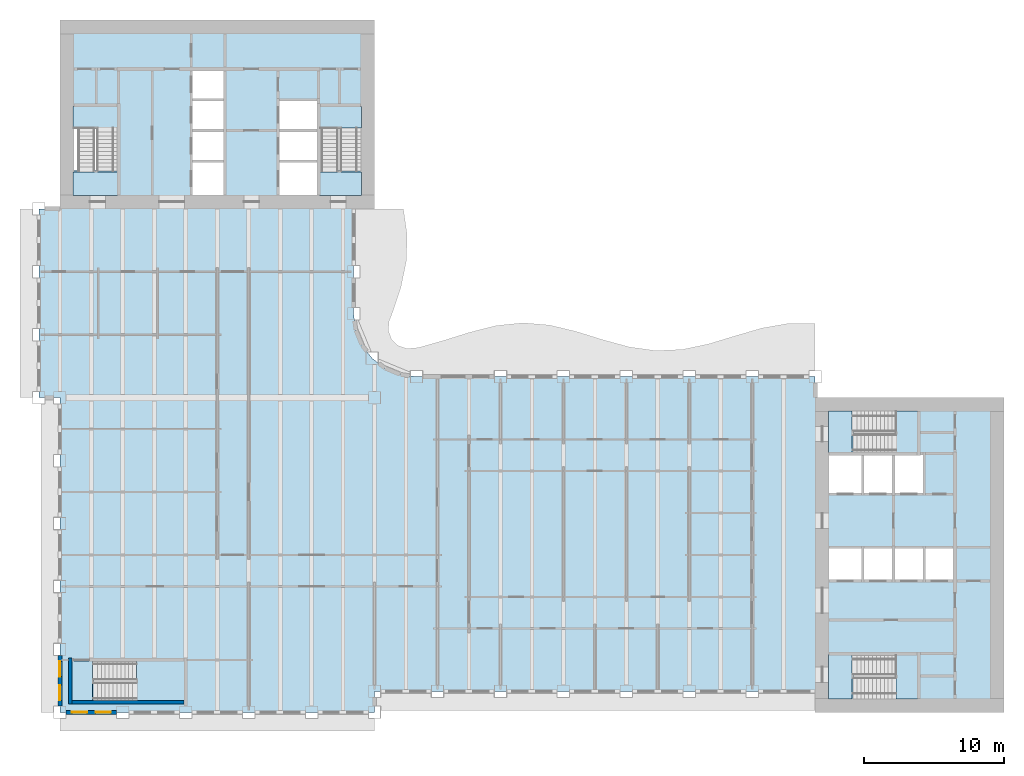
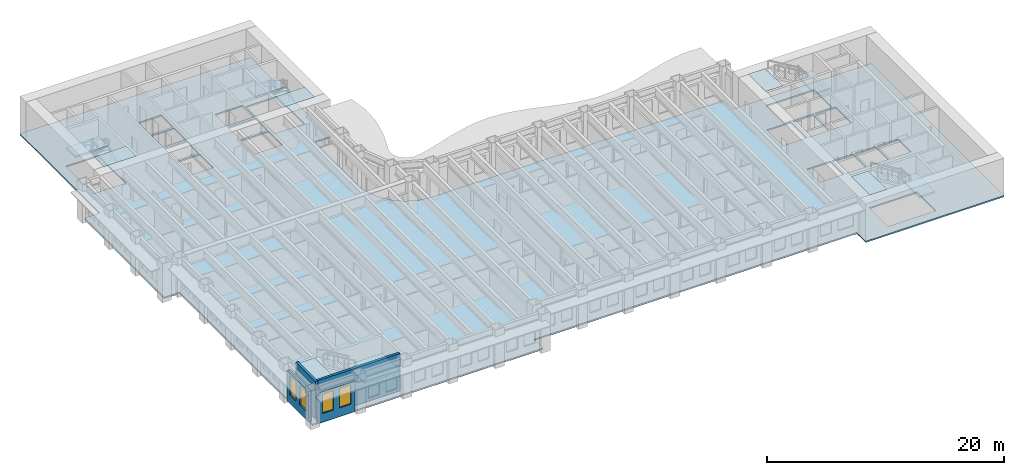
# One storey, part 2 of 16: 11 slabs, 4 walls, 4 windows, 4 openings, 5 elements without a shape of their own.
"""IFC4 building model written with IfcOpenShell, lengths in metres."""

from ifc_helpers import new_model, si_unit, direction, frame, frame_2d, origin, place, context, subcontext, project, spatial, polyline, rectangle, outline, extrude, material, layer, layer_set, type_object, element, fill, aggregate, save


model = new_model("IFC4")

# Units and contexts
model_context = context("Model", 3, precision=1e-05, world=origin(), true_north=direction((0.0, 1.0)))
body_context = subcontext(model_context, "Body", "Model", "MODEL_VIEW")
ifc_project = project(units=[si_unit("LENGTHUNIT", "METRE"), si_unit("AREAUNIT", "SQUARE_METRE"), si_unit("VOLUMEUNIT", "CUBIC_METRE"), si_unit("PLANEANGLEUNIT", "RADIAN"), si_unit("MASSUNIT", "GRAM", prefix="KILO")], contexts=[model_context])

# Site, building, storey
site_placement = place(None, origin())
site = spatial("IfcSite", under=ifc_project, at=site_placement, CompositionType="ELEMENT")
building_placement = place(site_placement, origin())
building = spatial("IfcBuilding", under=site, at=building_placement, Name="Sennacour Bend Tower", CompositionType="ELEMENT")
storey_placement = place(building_placement, frame((0.0, 0.0, 179.0)))
storey = spatial("IfcBuildingStorey", under=building, at=storey_placement, Name="L41", CompositionType="ELEMENT", Elevation=179.0)

# Slabs
ifc_material_1 = material(Name="Concrete C30/37", Category="concrete")
ifc_layer_1 = layer(ifc_material_1, 0.14990234375, Name="Concrete C30/37", Category="concrete")
ifc_layer_set_1 = layer_set([ifc_layer_1], Name="Concrete C30/37")
slab_type_1 = type_object("IfcSlabType", Name="Floor slab 150", PredefinedType="FLOOR", material=ifc_layer_set_1)
slab_1_placement = place(storey_placement, frame((0.0, 0.0, -0.14990234375)))
element("IfcSlab", 1, at=slab_1_placement, inside=storey, type_object=slab_type_1, Name="Floor slab L41-01", PredefinedType="FLOOR", context=body_context, shape_type="SweptSolid", body=[
    extrude(outline(polyline([(0.0, 22.5), (-1.5, 22.5), (-1.5, 36.0), (0.0, 36.0), (0.0, 49.5), (22.5, 49.5), (22.5, 36.0), (21.0, 36.0), (21.0, 28.5), (21.1533203125, 27.335205078125), (21.602783203125, 26.25), (22.318115234375, 25.318115234375), (23.25, 24.602783203125), (24.335205078125, 24.1533203125), (25.5, 24.0), (54.0, 24.0), (54.0, 22.5), (67.5, 22.5), (67.5, 0.0), (54.0, 0.0), (54.0, 1.5), (22.5, 1.5), (22.5, 0.0), (0.0, 0.0), (0.0, 22.5)]), holes=[polyline([(8.800048828125, 0.949951171875), (8.800048828125, 3.5), (2.429931640625, 3.5), (2.429931640625, 0.949951171875), (8.800048828125, 0.949951171875)]), polyline([(11.699951171875, 37.0), (11.699951171875, 39.300048828125), (9.5, 39.300048828125), (9.5, 37.0), (11.699951171875, 37.0)]), polyline([(18.39990234375, 37.0), (18.39990234375, 39.300048828125), (15.699951171875, 39.300048828125), (15.699951171875, 37.0), (18.39990234375, 37.0)]), polyline([(11.699951171875, 39.5), (11.699951171875, 41.5), (9.5, 41.5), (9.5, 39.5), (11.699951171875, 39.5)]), polyline([(18.39990234375, 39.5), (18.39990234375, 41.5), (15.699951171875, 41.5), (15.699951171875, 39.5), (18.39990234375, 39.5)]), polyline([(4.125, 38.72998046875), (4.125, 43.39990234375), (0.949951171875, 43.39990234375), (0.949951171875, 38.72998046875), (4.125, 38.72998046875)]), polyline([(21.550048828125, 38.72998046875), (21.550048828125, 43.39990234375), (18.574951171875, 43.39990234375), (18.574951171875, 38.72998046875), (21.550048828125, 38.72998046875)]), polyline([(9.5, 41.699951171875), (11.699951171875, 41.699951171875), (11.699951171875, 43.699951171875), (9.5, 43.699951171875), (9.5, 41.699951171875)]), polyline([(15.699951171875, 41.699951171875), (18.39990234375, 41.699951171875), (18.39990234375, 43.699951171875), (15.699951171875, 43.699951171875), (15.699951171875, 41.699951171875)]), polyline([(11.699951171875, 43.89990234375), (11.699951171875, 45.89990234375), (9.5, 45.89990234375), (9.5, 43.89990234375), (11.699951171875, 43.89990234375)]), polyline([(61.39990234375, 0.949951171875), (61.39990234375, 4.125), (56.72998046875, 4.125), (56.72998046875, 0.949951171875), (61.39990234375, 0.949951171875)]), polyline([(57.300048828125, 9.5), (57.300048828125, 11.699951171875), (55.0, 11.699951171875), (55.0, 9.5), (57.300048828125, 9.5)]), polyline([(57.5, 9.5), (59.5, 9.5), (59.5, 11.699951171875), (57.5, 11.699951171875), (57.5, 9.5)]), polyline([(59.699951171875, 9.5), (61.699951171875, 9.5), (61.699951171875, 11.699951171875), (59.699951171875, 11.699951171875), (59.699951171875, 9.5)]), polyline([(63.89990234375, 9.5), (63.89990234375, 11.699951171875), (61.89990234375, 11.699951171875), (61.89990234375, 9.5), (63.89990234375, 9.5)]), polyline([(57.300048828125, 15.699951171875), (57.300048828125, 18.39990234375), (55.0, 18.39990234375), (55.0, 15.699951171875), (57.300048828125, 15.699951171875)]), polyline([(59.5, 15.699951171875), (59.5, 18.39990234375), (57.5, 18.39990234375), (57.5, 15.699951171875), (59.5, 15.699951171875)]), polyline([(59.699951171875, 15.699951171875), (61.699951171875, 15.699951171875), (61.699951171875, 18.39990234375), (59.699951171875, 18.39990234375), (59.699951171875, 15.699951171875)]), polyline([(56.72998046875, 18.574951171875), (61.39990234375, 18.574951171875), (61.39990234375, 21.550048828125), (56.72998046875, 21.550048828125), (56.72998046875, 18.574951171875)])]), origin(), (0.0, 0.0, 1.0), 0.14990234375),
])
ifc_material_2 = material(Name="Concrete C40/50", Category="concrete")
ifc_layer_2 = layer(ifc_material_2, 0.034912109375, Name="Concrete C40/50", Category="concrete")
ifc_layer_set_2 = layer_set([ifc_layer_2], Name="Concrete C40/50")
slab_type_2 = type_object("IfcSlabType", Name="Stair arrival nib 35", PredefinedType="FLOOR", material=ifc_layer_set_2)
slab_2_placement = place(storey_placement, frame((0.0, 0.0, 3.815185546875)))
element("IfcSlab", 2, at=slab_2_placement, inside=storey, type_object=slab_type_2, Name="L41 SA1 stair arrival nib", PredefinedType="FLOOR", context=body_context, shape_type="SweptSolid", body=[
    extrude(outline(polyline([(56.64208984375, 4.125), (54.949951171875, 4.125), (54.949951171875, 0.949951171875), (56.64208984375, 0.949951171875), (56.64208984375, 4.125)])), origin(), (0.0, 0.0, 1.0), 0.034912109375),
])
slab_3_placement = place(storey_placement, frame((0.0, 0.0, 3.815185546875)))
element("IfcSlab", 3, at=slab_3_placement, inside=storey, type_object=slab_type_2, Name="L41 SA2 stair arrival nib", PredefinedType="FLOOR", context=body_context, shape_type="SweptSolid", body=[
    extrude(outline(polyline([(56.64208984375, 21.550048828125), (54.949951171875, 21.550048828125), (54.949951171875, 18.574951171875), (56.64208984375, 18.574951171875), (56.64208984375, 21.550048828125)])), origin(), (0.0, 0.0, 1.0), 0.034912109375),
])
slab_4_placement = place(storey_placement, frame((0.0, 0.0, 3.815185546875)))
element("IfcSlab", 4, at=slab_4_placement, inside=storey, type_object=slab_type_2, Name="L41 SB1 stair arrival nib", PredefinedType="FLOOR", context=body_context, shape_type="SweptSolid", body=[
    extrude(outline(polyline([(0.949951171875, 38.64208984375), (0.949951171875, 36.949951171875), (4.125, 36.949951171875), (4.125, 38.64208984375), (0.949951171875, 38.64208984375)])), origin(), (0.0, 0.0, 1.0), 0.034912109375),
])
slab_5_placement = place(storey_placement, frame((0.0, 0.0, 3.815185546875)))
element("IfcSlab", 5, at=slab_5_placement, inside=storey, type_object=slab_type_2, Name="L41 SB2 stair arrival nib", PredefinedType="FLOOR", context=body_context, shape_type="SweptSolid", body=[
    extrude(outline(polyline([(18.574951171875, 38.64208984375), (18.574951171875, 36.949951171875), (21.550048828125, 36.949951171875), (21.550048828125, 38.64208984375), (18.574951171875, 38.64208984375)])), origin(), (0.0, 0.0, 1.0), 0.034912109375),
])
slab_6_placement = place(storey_placement, frame((0.0, 0.0, 3.815185546875)))
element("IfcSlab", 6, at=slab_6_placement, inside=storey, type_object=slab_type_2, Name="L41 SK1 stair arrival nib", PredefinedType="FLOOR", context=body_context, shape_type="SweptSolid", body=[
    extrude(outline(polyline([(2.342041015625, 3.675048828125), (0.800048828125, 3.675048828125), (0.800048828125, 0.800048828125), (2.342041015625, 0.800048828125), (2.342041015625, 3.675048828125)])), origin(), (0.0, 0.0, 1.0), 0.034912109375),
])

# Stair, slab
stair_type = type_object("IfcStairType", Name="ST-DOGLEG", PredefinedType="HALF_TURN_STAIR", material=ifc_material_2)
stair_1_placement = place(storey_placement, origin())
stair_1 = element("IfcStair", 7, at=stair_1_placement, inside=storey, type_object=stair_type, Name="L41 Exit stair A1", PredefinedType="HALF_TURN_STAIR")
ifc_layer_3 = layer(ifc_material_2, 0.199951171875, Name="Concrete C40/50", Category="concrete")
ifc_layer_set_3 = layer_set([ifc_layer_3], Name="Concrete C40/50")
slab_type_3 = type_object("IfcSlabType", Name="Stair landing 200", PredefinedType="LANDING", material=ifc_layer_set_3)
slab_7_placement = place(storey_placement, frame((0.0, 0.0, 1.800048828125)))
slab_7 = element("IfcSlab", 8, at=slab_7_placement, type_object=slab_type_3, Name="SA1 landing 1", PredefinedType="LANDING", context=body_context, shape_type="SweptSolid", body=[
    extrude(outline(polyline([(59.780029296875, 0.949951171875), (61.324951171875, 0.949951171875), (61.324951171875, 4.125), (59.780029296875, 4.125), (59.780029296875, 0.949951171875)])), origin(), (0.0, 0.0, 1.0), 0.199951171875),
])
aggregate(stair_1, [slab_7])

stair_2_placement = place(storey_placement, origin())
stair_2 = element("IfcStair", 9, at=stair_2_placement, inside=storey, type_object=stair_type, Name="L41 Exit stair A2", PredefinedType="HALF_TURN_STAIR")
slab_8_placement = place(storey_placement, frame((0.0, 0.0, 1.800048828125)))
slab_8 = element("IfcSlab", 10, at=slab_8_placement, type_object=slab_type_3, Name="SA2 landing 1", PredefinedType="LANDING", context=body_context, shape_type="SweptSolid", body=[
    extrude(outline(polyline([(59.780029296875, 18.574951171875), (61.324951171875, 18.574951171875), (61.324951171875, 21.550048828125), (59.780029296875, 21.550048828125), (59.780029296875, 18.574951171875)])), origin(), (0.0, 0.0, 1.0), 0.199951171875),
])
aggregate(stair_2, [slab_8])

stair_3_placement = place(storey_placement, origin())
stair_3 = element("IfcStair", 11, at=stair_3_placement, inside=storey, type_object=stair_type, Name="L41 Exit stair B1", PredefinedType="HALF_TURN_STAIR")
slab_9_placement = place(storey_placement, frame((0.0, 0.0, 1.800048828125)))
slab_9 = element("IfcSlab", 12, at=slab_9_placement, type_object=slab_type_3, Name="SB1 landing 1", PredefinedType="LANDING", context=body_context, shape_type="SweptSolid", body=[
    extrude(outline(polyline([(0.949951171875, 41.780029296875), (4.125, 41.780029296875), (4.125, 43.324951171875), (0.949951171875, 43.324951171875), (0.949951171875, 41.780029296875)])), origin(), (0.0, 0.0, 1.0), 0.199951171875),
])
aggregate(stair_3, [slab_9])

stair_4_placement = place(storey_placement, origin())
stair_4 = element("IfcStair", 13, at=stair_4_placement, inside=storey, type_object=stair_type, Name="L41 Exit stair B2", PredefinedType="HALF_TURN_STAIR")
slab_10_placement = place(storey_placement, frame((0.0, 0.0, 1.800048828125)))
slab_10 = element("IfcSlab", 14, at=slab_10_placement, type_object=slab_type_3, Name="SB2 landing 1", PredefinedType="LANDING", context=body_context, shape_type="SweptSolid", body=[
    extrude(outline(polyline([(18.574951171875, 41.780029296875), (21.550048828125, 41.780029296875), (21.550048828125, 43.324951171875), (18.574951171875, 43.324951171875), (18.574951171875, 41.780029296875)])), origin(), (0.0, 0.0, 1.0), 0.199951171875),
])
aggregate(stair_4, [slab_10])

stair_5_placement = place(storey_placement, origin())
stair_5 = element("IfcStair", 15, at=stair_5_placement, inside=storey, type_object=stair_type, Name="L41 Exit stair K1", PredefinedType="HALF_TURN_STAIR")
slab_11_placement = place(storey_placement, frame((0.0, 0.0, 1.800048828125)))
slab_11 = element("IfcSlab", 16, at=slab_11_placement, type_object=slab_type_3, Name="SK1 landing 1", PredefinedType="LANDING", context=body_context, shape_type="SweptSolid", body=[
    extrude(outline(polyline([(5.47998046875, 0.800048828125), (8.925048828125, 0.800048828125), (8.925048828125, 3.675048828125), (5.47998046875, 3.675048828125), (5.47998046875, 0.800048828125)])), origin(), (0.0, 0.0, 1.0), 0.199951171875),
])
aggregate(stair_5, [slab_11])

# Wall, openings, windows
ifc_material_3 = material(Name="Warm limestone cladding", Category="masonry")
ifc_layer_4 = layer(ifc_material_3, 0.050048828125, Name="Warm limestone cladding", Category="masonry")
ifc_material_4 = material(Name="Precast concrete C40/50", Category="concrete")
ifc_layer_5 = layer(ifc_material_4, 0.25, Name="Precast concrete C40/50", Category="concrete")
ifc_layer_set_4 = layer_set([ifc_layer_4, ifc_layer_5], Name="Precast concrete C40/50 with limestone cladding")
wall_type_1 = type_object("IfcWallType", Name="STONE-CLAD PRECAST SPANDREL 300", PredefinedType="STANDARD", material=ifc_layer_set_4)
wall_1_placement = place(storey_placement, frame((0.449951171875, 0.0, 0.0), z_axis=(0.0, 0.0, 1.0), x_axis=(1.0, 0.0, 0.0)))
wall_1 = element("IfcWall", 17, at=wall_1_placement, inside=storey, type_object=wall_type_1, Name="Stone spandrel and pier wall L41 00.00", PredefinedType="STANDARD", context=body_context, shape_type="SweptSolid", body=[
    extrude(rectangle(XDim=3.60009765625, YDim=0.300048828125, at=frame_2d((1.800048828125, 0.0))), origin(), (0.0, 0.0, 1.0), 3.14892578125),
])
opening_1_placement = place(wall_1_placement, frame((0.39990234375, 0.0, 0.89990234375)))
opening_1 = element("IfcOpeningElement", 18, at=opening_1_placement, cuts=wall_1, Name="Opening W19", PredefinedType="OPENING", context=body_context, shape_type="SweptSolid", body=[
    extrude(rectangle(XDim=1.10009765625, YDim=2.0, at=frame_2d((0.550048828125, 1.0))), frame((0.0, 0.16015625, 0.0), z_axis=(0.0, -1.0, 0.0), x_axis=(1.0, 0.0, 0.0)), (0.0, 0.0, 1.0), 0.320068359375),
])
opening_2_placement = place(wall_1_placement, frame((2.10009765625, 0.0, 0.89990234375)))
opening_2 = element("IfcOpeningElement", 19, at=opening_2_placement, cuts=wall_1, Name="Opening W19", PredefinedType="OPENING", context=body_context, shape_type="SweptSolid", body=[
    extrude(rectangle(XDim=1.10009765625, YDim=2.0, at=frame_2d((0.550048828125, 1.0))), frame((0.0, 0.16015625, 0.0), z_axis=(0.0, -1.0, 0.0), x_axis=(1.0, 0.0, 0.0)), (0.0, 0.0, 1.0), 0.320068359375),
])
ifc_material_5 = material(Name="Clear low-emissivity glass", Category="glass")
window_type = type_object("IfcWindowType", Name="WIN-RIBBON-1100x2000", PartitioningType="SINGLE_PANEL", PredefinedType="WINDOW", material=ifc_material_5)
window_1_placement = place(opening_1_placement, origin())
window_1 = element("IfcWindow", 20, at=window_1_placement, inside=storey, type_object=window_type, Name="Ribbon window L41 00.00.0", OverallHeight=2.0, OverallWidth=1.10009765625, PartitioningType="SINGLE_PANEL", PredefinedType="WINDOW", context=body_context, shape_type="SweptSolid", body=[
    extrude(rectangle(XDim=1.10009765625, YDim=2.0, at=frame_2d((0.550048828125, 1.0))), frame((0.0, 0.030029296875, 0.0), z_axis=(0.0, -1.0, 0.0), x_axis=(1.0, 0.0, 0.0)), (0.0, 0.0, 1.0), 0.06005859375),
])
fill(opening_1, window_1)
window_2_placement = place(opening_2_placement, origin())
window_2 = element("IfcWindow", 21, at=window_2_placement, inside=storey, type_object=window_type, Name="Ribbon window L41 00.00.1", OverallHeight=2.0, OverallWidth=1.10009765625, PartitioningType="SINGLE_PANEL", PredefinedType="WINDOW", context=body_context, shape_type="SweptSolid", body=[
    extrude(rectangle(XDim=1.10009765625, YDim=2.0, at=frame_2d((0.550048828125, 1.0))), frame((0.0, 0.030029296875, 0.0), z_axis=(0.0, -1.0, 0.0), x_axis=(1.0, 0.0, 0.0)), (0.0, 0.0, 1.0), 0.06005859375),
])
fill(opening_2, window_2)

wall_2_placement = place(storey_placement, frame((0.0, 4.050048828125, 0.0), z_axis=(0.0, 0.0, 1.0), x_axis=(0.0, -1.0, 0.0)))
wall_2 = element("IfcWall", 22, at=wall_2_placement, inside=storey, type_object=wall_type_1, Name="Stone spandrel and pier wall L41 23.04", PredefinedType="STANDARD", context=body_context, shape_type="SweptSolid", body=[
    extrude(rectangle(XDim=3.60009765625, YDim=0.300048828125, at=frame_2d((1.800048828125, 0.0))), origin(), (0.0, 0.0, 1.0), 3.14892578125),
])
opening_3_placement = place(wall_2_placement, frame((0.39990234375, 0.0, 0.89990234375)))
opening_3 = element("IfcOpeningElement", 23, at=opening_3_placement, cuts=wall_2, Name="Opening W19", PredefinedType="OPENING", context=body_context, shape_type="SweptSolid", body=[
    extrude(rectangle(XDim=1.10009765625, YDim=2.0, at=frame_2d((0.550048828125, 1.0))), frame((0.0, 0.16015625, 0.0), z_axis=(0.0, -1.0, 0.0), x_axis=(1.0, 0.0, 0.0)), (0.0, 0.0, 1.0), 0.320068359375),
])
opening_4_placement = place(wall_2_placement, frame((2.10009765625, 0.0, 0.89990234375)))
opening_4 = element("IfcOpeningElement", 24, at=opening_4_placement, cuts=wall_2, Name="Opening W19", PredefinedType="OPENING", context=body_context, shape_type="SweptSolid", body=[
    extrude(rectangle(XDim=1.10009765625, YDim=2.0, at=frame_2d((0.550048828125, 1.0))), frame((0.0, 0.16015625, 0.0), z_axis=(0.0, -1.0, 0.0), x_axis=(1.0, 0.0, 0.0)), (0.0, 0.0, 1.0), 0.320068359375),
])
window_3_placement = place(opening_3_placement, origin())
window_3 = element("IfcWindow", 25, at=window_3_placement, inside=storey, type_object=window_type, Name="Ribbon window L41 23.04.0", OverallHeight=2.0, OverallWidth=1.10009765625, PartitioningType="SINGLE_PANEL", PredefinedType="WINDOW", context=body_context, shape_type="SweptSolid", body=[
    extrude(rectangle(XDim=1.10009765625, YDim=2.0, at=frame_2d((0.550048828125, 1.0))), frame((0.0, 0.030029296875, 0.0), z_axis=(0.0, -1.0, 0.0), x_axis=(1.0, 0.0, 0.0)), (0.0, 0.0, 1.0), 0.06005859375),
])
fill(opening_3, window_3)
window_4_placement = place(opening_4_placement, origin())
window_4 = element("IfcWindow", 26, at=window_4_placement, inside=storey, type_object=window_type, Name="Ribbon window L41 23.04.1", OverallHeight=2.0, OverallWidth=1.10009765625, PartitioningType="SINGLE_PANEL", PredefinedType="WINDOW", context=body_context, shape_type="SweptSolid", body=[
    extrude(rectangle(XDim=1.10009765625, YDim=2.0, at=frame_2d((0.550048828125, 1.0))), frame((0.0, 0.030029296875, 0.0), z_axis=(0.0, -1.0, 0.0), x_axis=(1.0, 0.0, 0.0)), (0.0, 0.0, 1.0), 0.06005859375),
])
fill(opening_4, window_4)

# Walls
ifc_material_6 = material(Name="Concrete C60/75", Category="concrete")
ifc_layer_6 = layer(ifc_material_6, 0.25, Name="Concrete C60/75", Category="concrete")
ifc_layer_set_5 = layer_set([ifc_layer_6], Name="Concrete C60/75")
wall_type_2 = type_object("IfcWallType", Name="Stair wall 250", PredefinedType="SHEAR", material=ifc_layer_set_5)
wall_3_placement = place(storey_placement, frame((0.72509765625, 0.60009765625, 0.0), z_axis=(0.0, 0.0, 1.0), x_axis=(0.0, 1.0, 0.0)))
element("IfcWall", 27, at=wall_3_placement, inside=storey, type_object=wall_type_2, Name="P-L41-W003", PredefinedType="SHEAR", context=body_context, shape_type="SweptSolid", body=[
    extrude(rectangle(XDim=3.27490234375, YDim=0.25, at=frame_2d((1.637451171875, 0.0))), origin(), (0.0, 0.0, 1.0), 3.85009765625),
])
wall_4_placement = place(storey_placement, frame((0.85009765625, 0.72509765625, 0.0), z_axis=(0.0, 0.0, 1.0), x_axis=(1.0, 0.0, 0.0)))
element("IfcWall", 28, at=wall_4_placement, inside=storey, type_object=wall_type_2, Name="P-L41-W053", PredefinedType="SHEAR", context=body_context, shape_type="SweptSolid", body=[
    extrude(rectangle(XDim=8.02490234375, YDim=0.25, at=frame_2d((4.012451171875, 0.0))), origin(), (0.0, 0.0, 1.0), 3.85009765625),
])

save(model, "model.ifc")
